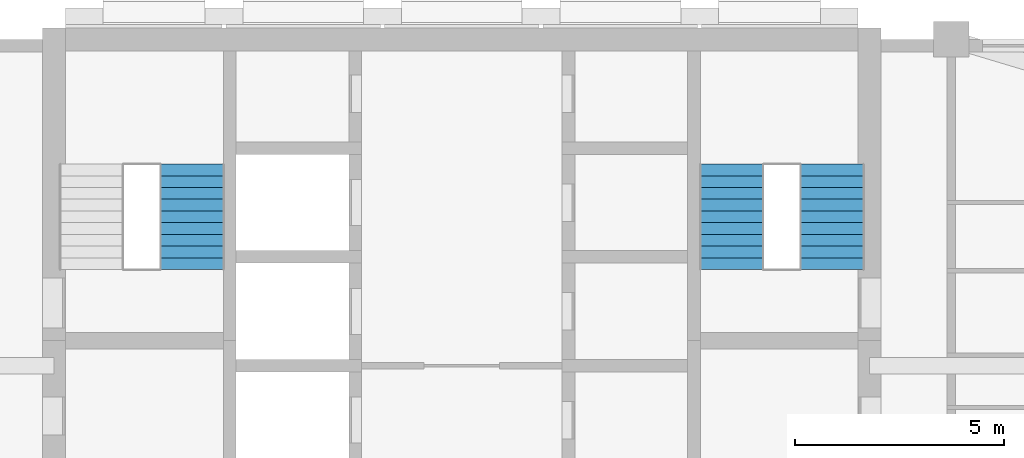
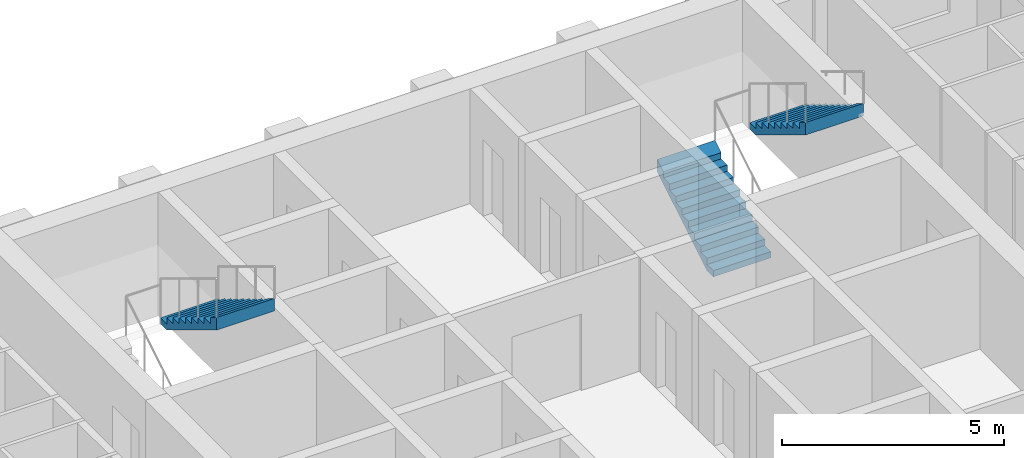
# One storey, part 12 of 14: 3 stair flights, 2 elements without a shape of their own.
"""IFC4 building model written with IfcOpenShell, lengths in metres."""

import ifcopenshell
import ifcopenshell.guid

model = None  # the IFC model being written
_history = None  # IfcOwnerHistory: only IFC2X3 demands one
_inside = {}  # id of a spatial element -> (the spatial element, [elements in it])
_under = {}  # id of a project, library or spatial element -> (it, [spatial elements below it])
_declared = {}  # id of a project -> (the project, [libraries it declares])
_typed = {}  # id of a type object -> (the type object, [elements of that type])
_made_of = {}  # id of a material, layer set ... -> (it, [elements and type objects made of it])


def new_model(schema):
    """Start an empty IFC model of exactly this schema.

    Asked for "IFC4X3", IfcOpenShell would pick the latest addendum, in which some entities
    have other attributes; the version numbers below select the first issue.
    IFC2X3 requires an IfcOwnerHistory on every rooted entity: one is made here for all.
    """
    global model, _history
    if schema == "IFC4X3":
        model = ifcopenshell.file(schema_version=(4, 3, 0, 0))
    else:
        model = ifcopenshell.file(schema=schema)
    _inside.clear()
    _under.clear()
    _declared.clear()
    _typed.clear()
    _made_of.clear()
    _history = None
    if model.schema == "IFC2X3":
        org = make("IfcOrganization", Name="unknown")
        user = make(
            "IfcPersonAndOrganization",
            ThePerson=make("IfcPerson", FamilyName="unknown"),
            TheOrganization=org,
        )
        app = make(
            "IfcApplication",
            ApplicationDeveloper=org,
            Version="unknown",
            ApplicationFullName="unknown",
            ApplicationIdentifier="unknown",
        )
        _history = make(
            "IfcOwnerHistory",
            OwningUser=user,
            OwningApplication=app,
            ChangeAction="ADDED",
            CreationDate=0,
        )
    return model


def make(cls, **values):
    """One entity of the class cls with the attributes given. An attribute that is None is left unset."""
    return model.create_entity(
        cls, **{name: value for name, value in values.items() if value is not None}
    )


def rooted(cls, **values):
    """An entity with a GlobalId (a new one), such as an element, a storey or a relation."""
    return make(cls, GlobalId=ifcopenshell.guid.new(), OwnerHistory=_history, **values)


def si_unit(unit_type, name, prefix=None):
    """IfcSIUnit, for example si_unit("LENGTHUNIT", "METRE", prefix="MILLI")."""
    return make("IfcSIUnit", UnitType=unit_type, Prefix=prefix, Name=name)


def assignment(units):
    """IfcUnitAssignment: the units of a project."""
    return None if units is None else make("IfcUnitAssignment", Units=units)


def point(xyz):
    """IfcCartesianPoint."""
    return None if xyz is None else make("IfcCartesianPoint", Coordinates=xyz)


def direction(xyz):
    """IfcDirection."""
    return None if xyz is None else make("IfcDirection", DirectionRatios=xyz)


def frame(location, z_axis=None, x_axis=None):
    """IfcAxis2Placement3D, a coordinate frame: its origin and axes. An axis left out is left unset."""
    return make(
        "IfcAxis2Placement3D",
        Location=point(location),
        Axis=direction(z_axis),
        RefDirection=direction(x_axis),
    )


def origin():
    """The frame at (0, 0, 0) with its axes left unset."""
    return frame((0.0, 0.0, 0.0))


def place(relative_to, where):
    """IfcLocalPlacement: puts the frame where relative to a parent placement (None: the world)."""
    return make(
        "IfcLocalPlacement", PlacementRelTo=relative_to, RelativePlacement=where
    )


def context(
    kind, dimensions, precision=None, world=None, true_north=None, identifier=None
):
    """IfcGeometricRepresentationContext, for example the 3D "Model" context."""
    return make(
        "IfcGeometricRepresentationContext",
        ContextIdentifier=identifier,
        ContextType=kind,
        CoordinateSpaceDimension=dimensions,
        Precision=precision,
        WorldCoordinateSystem=world,
        TrueNorth=true_north,
    )


def subcontext(parent, identifier, kind, view, scale=None):
    """IfcGeometricRepresentationSubContext, for example "Body" below "Model"."""
    return make(
        "IfcGeometricRepresentationSubContext",
        ContextIdentifier=identifier,
        ContextType=kind,
        ParentContext=parent,
        TargetScale=scale,
        TargetView=view,
    )


def project(units=None, contexts=None):
    """IfcProject with its units and contexts."""
    return rooted(
        "IfcProject",
        Name="project",
        RepresentationContexts=contexts,
        UnitsInContext=assignment(units),
    )


def spatial(cls, under=None, at=None, **own):
    """A site, building, storey or space (cls), placed at a placement, below another one or the project."""
    s = rooted(cls, ObjectPlacement=at, **own)
    if under is not None:
        _under.setdefault(under.id(), (under, []))[1].append(s)
    return s


def point_list(points):
    """IfcCartesianPointList2D or 3D."""
    cls = (
        "IfcCartesianPointList2D" if len(points[0]) == 2 else "IfcCartesianPointList3D"
    )
    return make(cls, CoordList=points)


def triangles(points, corners, closed=None, point_numbers=None):
    """IfcTriangulatedFaceSet: each triangle names its three corners, points numbered from 1."""
    return make(
        "IfcTriangulatedFaceSet",
        Coordinates=point_list(points),
        Closed=closed,
        CoordIndex=corners,
        PnIndex=point_numbers,
    )


def shape(context_of_items, identifier, shape_type, items):
    """IfcShapeRepresentation: the items that make up one representation, for example the "Body"."""
    return make(
        "IfcShapeRepresentation",
        ContextOfItems=context_of_items,
        RepresentationIdentifier=identifier,
        RepresentationType=shape_type,
        Items=items,
    )


def material(Name=None, Category=None):
    """IfcMaterial."""
    return make("IfcMaterial", Name=Name, Category=Category)


def made_of(thing, what):
    """Note that an element or type object is made of a material, layer set ...; save() writes the relation."""
    if what is not None:
        _made_of.setdefault(what.id(), (what, []))[1].append(thing)
    return thing


def type_object(cls, material=None, **own):
    """A type object (cls), such as IfcWallType, which elements share."""
    return made_of(rooted(cls, **own), material)


def element(
    cls,
    number,
    at=None,
    inside=None,
    cuts=None,
    type_object=None,
    material=None,
    context=None,
    identifier="Body",
    shape_type=None,
    held_by="IfcProductDefinitionShape",
    body=None,
    shapes=None,
    **own,
):
    """One element of the class cls, such as IfcWall. Its Tag is "e" and its number.

    at: its placement. inside: the storey or other place that contains it. cuts: it is an
    opening in that element (IfcRelVoidsElement). A single representation is given by context,
    identifier, shape_type and body (its items); several are given by shapes. held_by: the class
    of the entity that holds the representations. save() writes the other relations.
    """
    e = rooted(cls, Tag="e%d" % number, ObjectPlacement=at, **own)
    if body is not None:
        shapes = [shape(context, identifier, shape_type, body)]
    if shapes is not None:
        e.Representation = make(held_by, Representations=shapes)
    if inside is not None:
        _inside.setdefault(inside.id(), (inside, []))[1].append(e)
    if cuts is not None:
        rooted(
            "IfcRelVoidsElement", RelatingBuildingElement=cuts, RelatedOpeningElement=e
        )
    if type_object is not None:
        _typed.setdefault(type_object.id(), (type_object, []))[1].append(e)
    return made_of(e, material)


def aggregate(whole, parts):
    """IfcRelAggregates: a whole, such as a stair, and the parts it consists of."""
    return rooted("IfcRelAggregates", RelatingObject=whole, RelatedObjects=parts)


def save(model, path):
    """Write the relations noted so far, then the file.

    IfcRelAggregates (storeys below a building ...), IfcRelContainedInSpatialStructure (elements
    in a storey), IfcRelDefinesByType, IfcRelAssociatesMaterial and IfcRelDeclares: one each for
    every whole, place, type object, material and project.
    """
    for whole, parts in _under.values():
        aggregate(whole, parts)
    for where, things in _inside.values():
        rooted(
            "IfcRelContainedInSpatialStructure",
            RelatedElements=things,
            RelatingStructure=where,
        )
    for kind, things in _typed.values():
        rooted("IfcRelDefinesByType", RelatedObjects=things, RelatingType=kind)
    for what, things in _made_of.values():
        rooted("IfcRelAssociatesMaterial", RelatedObjects=things, RelatingMaterial=what)
    for by, libraries in _declared.values():
        rooted("IfcRelDeclares", RelatingContext=by, RelatedDefinitions=libraries)
    model.write(path)


model = new_model("IFC4")

# Units and contexts
model_context = context("Model", 3, precision=1e-05, world=origin(), true_north=direction((0.0, 1.0)))
body_context = subcontext(model_context, "Body", "Model", "MODEL_VIEW")
ifc_project = project(units=[si_unit("LENGTHUNIT", "METRE"), si_unit("AREAUNIT", "SQUARE_METRE"), si_unit("VOLUMEUNIT", "CUBIC_METRE"), si_unit("PLANEANGLEUNIT", "RADIAN"), si_unit("MASSUNIT", "GRAM", prefix="KILO")], contexts=[model_context])

# Site, building, storey
site_placement = place(None, origin())
site = spatial("IfcSite", under=ifc_project, at=site_placement, CompositionType="ELEMENT")
building_placement = place(site_placement, origin())
building = spatial("IfcBuilding", under=site, at=building_placement, Name="Ludao Terraces", CompositionType="ELEMENT")
storey_placement = place(building_placement, frame((0.0, 0.0, 110.10009765625)))
storey = spatial("IfcBuildingStorey", under=building, at=storey_placement, Name="L30", CompositionType="ELEMENT", Elevation=110.10009765625)

# Stair, stair flight
ifc_material = material(Name="Concrete C40", Category="concrete")
stair_type = type_object("IfcStairType", Name="INT Stair", PredefinedType="HALF_TURN_STAIR", material=ifc_material)
stair_1_placement = place(storey_placement, origin())
stair_1 = element("IfcStair", 1, at=stair_1_placement, inside=storey, type_object=stair_type, Name="EXIT STAIR 1", PredefinedType="HALF_TURN_STAIR")
stair_flight_type = type_object("IfcStairFlightType", Name="INT Stair flight", PredefinedType="STRAIGHT", material=ifc_material)
stair_flight_1_placement = place(storey_placement, frame((78.550048828125, 81.52001953125, 1.699951171875), z_axis=(0.0, 0.0, 1.0), x_axis=(0.0, -1.0, 0.0)))
stair_flight_1 = element("IfcStairFlight", 2, at=stair_flight_1_placement, type_object=stair_flight_type, Name="ST1 flight 2", NumberOfRisers=10, NumberOfTreads=9, PredefinedType="STRAIGHT", RiserHeight=0.17, TreadLength=0.28, context=body_context, shape_type="Tessellation", body=[
    triangles([(0.0, -0.75, 0.0), (0.0, -0.5, 0.0), (0.0, -0.25, 0.0), (0.0, 0.0, 0.0), (0.0, 0.25, 0.0), (0.0, 0.5, 0.0), (0.0, 0.75, 0.0), (0.0, -0.75, 0.169921875), (0.0, -0.5, 0.169921875), (0.0, -0.25, 0.169921875), (0.0, 0.0, 0.169921875), (0.0, 0.25, 0.169921875), (0.0, 0.5, 0.169921875), (0.0, 0.75, 0.169921875), (0.280029296875, -0.75, 0.169921875), (0.280029296875, -0.5, 0.169921875), (0.280029296875, -0.25, 0.169921875), (0.280029296875, 0.0, 0.169921875), (0.280029296875, 0.25, 0.169921875), (0.280029296875, 0.5, 0.169921875), (0.280029296875, 0.75, 0.169921875), (0.280029296875, -0.75, 0.340087890625), (0.280029296875, -0.5, 0.340087890625), (0.280029296875, -0.25, 0.340087890625), (0.280029296875, 0.0, 0.340087890625), (0.280029296875, 0.25, 0.340087890625), (0.280029296875, 0.5, 0.340087890625), (0.280029296875, 0.75, 0.340087890625), (0.56005859375, -0.75, 0.340087890625), (0.56005859375, -0.5, 0.340087890625), (0.56005859375, -0.25, 0.340087890625), (0.56005859375, 0.0, 0.340087890625), (0.56005859375, 0.25, 0.340087890625), (0.56005859375, 0.5, 0.340087890625), (0.56005859375, 0.75, 0.340087890625), (0.56005859375, -0.75, 0.510009765625), (0.56005859375, -0.5, 0.510009765625), (0.56005859375, -0.25, 0.510009765625), (0.56005859375, 0.0, 0.510009765625), (0.56005859375, 0.25, 0.510009765625), (0.56005859375, 0.5, 0.510009765625), (0.56005859375, 0.75, 0.510009765625), (0.840087890625, -0.75, 0.510009765625), (0.840087890625, -0.5, 0.510009765625), (0.840087890625, -0.25, 0.510009765625), (0.840087890625, 0.0, 0.510009765625), (0.840087890625, 0.25, 0.510009765625), (0.840087890625, 0.5, 0.510009765625), (0.840087890625, 0.75, 0.510009765625), (0.840087890625, -0.75, 0.679931640625), (0.840087890625, -0.5, 0.679931640625), (0.840087890625, -0.25, 0.679931640625), (0.840087890625, 0.0, 0.679931640625), (0.840087890625, 0.25, 0.679931640625), (0.840087890625, 0.5, 0.679931640625), (0.840087890625, 0.75, 0.679931640625), (1.1201171875, -0.75, 0.679931640625), (1.1201171875, -0.5, 0.679931640625), (1.1201171875, -0.25, 0.679931640625), (1.1201171875, 0.0, 0.679931640625), (1.1201171875, 0.25, 0.679931640625), (1.1201171875, 0.5, 0.679931640625), (1.1201171875, 0.75, 0.679931640625), (1.1201171875, -0.75, 0.85009765625), (1.1201171875, -0.5, 0.85009765625), (1.1201171875, -0.25, 0.85009765625), (1.1201171875, 0.0, 0.85009765625), (1.1201171875, 0.25, 0.85009765625), (1.1201171875, 0.5, 0.85009765625), (1.1201171875, 0.75, 0.85009765625), (1.39990234375, -0.75, 0.85009765625), (1.39990234375, -0.5, 0.85009765625), (1.39990234375, -0.25, 0.85009765625), (1.39990234375, 0.0, 0.85009765625), (1.39990234375, 0.25, 0.85009765625), (1.39990234375, 0.5, 0.85009765625), (1.39990234375, 0.75, 0.85009765625), (1.39990234375, -0.75, 1.02001953125), (1.39990234375, -0.5, 1.02001953125), (1.39990234375, -0.25, 1.02001953125), (1.39990234375, 0.0, 1.02001953125), (1.39990234375, 0.25, 1.02001953125), (1.39990234375, 0.5, 1.02001953125), (1.39990234375, 0.75, 1.02001953125), (1.679931640625, -0.75, 1.02001953125), (1.679931640625, -0.5, 1.02001953125), (1.679931640625, -0.25, 1.02001953125), (1.679931640625, 0.0, 1.02001953125), (1.679931640625, 0.25, 1.02001953125), (1.679931640625, 0.5, 1.02001953125), (1.679931640625, 0.75, 1.02001953125), (1.679931640625, -0.75, 1.18994140625), (1.679931640625, -0.5, 1.18994140625), (1.679931640625, -0.25, 1.18994140625), (1.679931640625, 0.0, 1.18994140625), (1.679931640625, 0.25, 1.18994140625), (1.679931640625, 0.5, 1.18994140625), (1.679931640625, 0.75, 1.18994140625), (1.9599609375, -0.75, 1.18994140625), (1.9599609375, -0.5, 1.18994140625), (1.9599609375, -0.25, 1.18994140625), (1.9599609375, 0.0, 1.18994140625), (1.9599609375, 0.25, 1.18994140625), (1.9599609375, 0.5, 1.18994140625), (1.9599609375, 0.75, 1.18994140625), (1.9599609375, -0.75, 1.360107421875), (1.9599609375, -0.5, 1.360107421875), (1.9599609375, -0.25, 1.360107421875), (1.9599609375, 0.0, 1.360107421875), (1.9599609375, 0.25, 1.360107421875), (1.9599609375, 0.5, 1.360107421875), (1.9599609375, 0.75, 1.360107421875), (2.239990234375, -0.75, 1.360107421875), (2.239990234375, -0.5, 1.360107421875), (2.239990234375, -0.25, 1.360107421875), (2.239990234375, 0.0, 1.360107421875), (2.239990234375, 0.25, 1.360107421875), (2.239990234375, 0.5, 1.360107421875), (2.239990234375, 0.75, 1.360107421875), (2.239990234375, -0.75, 1.530029296875), (2.239990234375, -0.5, 1.530029296875), (2.239990234375, -0.25, 1.530029296875), (2.239990234375, 0.0, 1.530029296875), (2.239990234375, 0.25, 1.530029296875), (2.239990234375, 0.5, 1.530029296875), (2.239990234375, 0.75, 1.530029296875), (2.52001953125, -0.75, 1.699951171875), (2.52001953125, -0.5, 1.699951171875), (2.52001953125, -0.25, 1.699951171875), (2.52001953125, 0.0, 1.699951171875), (2.52001953125, 0.25, 1.699951171875), (2.52001953125, 0.5, 1.699951171875), (2.52001953125, 0.75, 1.699951171875), (2.52001953125, -0.75, 1.354736328125), (2.52001953125, -0.5, 1.354736328125), (2.52001953125, -0.25, 1.354736328125), (2.52001953125, 0.0, 1.354736328125), (2.52001953125, 0.25, 1.354736328125), (2.52001953125, 0.5, 1.354736328125), (2.52001953125, 0.75, 1.354736328125), (0.288818359375, -0.75, 0.0), (0.288818359375, -0.5, 0.0), (0.288818359375, -0.25, 0.0), (0.288818359375, 0.0, 0.0), (0.288818359375, 0.25, 0.0), (0.288818359375, 0.5, 0.0), (0.288818359375, 0.75, 0.0)], [[1, 141, 134], [7, 140, 147], [134, 127, 120], [140, 126, 133], [134, 120, 113], [140, 119, 126], [134, 113, 106], [140, 112, 119], [134, 106, 99], [140, 105, 112], [99, 92, 85], [105, 91, 98], [134, 99, 85], [140, 91, 105], [85, 78, 71], [91, 77, 84], [134, 85, 71], [140, 77, 91], [71, 64, 57], [77, 63, 70], [134, 71, 57], [140, 63, 77], [57, 50, 43], [63, 49, 56], [134, 57, 43], [140, 49, 63], [43, 36, 29], [49, 35, 42], [134, 43, 29], [140, 35, 49], [29, 22, 15], [35, 21, 28], [134, 29, 15], [140, 21, 35], [1, 134, 15], [7, 21, 140], [15, 8, 1], [21, 7, 14], [1, 9, 2], [1, 8, 9], [2, 10, 3], [2, 9, 10], [3, 11, 4], [3, 10, 11], [4, 12, 5], [4, 11, 12], [5, 13, 6], [5, 12, 13], [6, 14, 7], [6, 13, 14], [8, 16, 9], [8, 15, 16], [9, 17, 10], [9, 16, 17], [10, 18, 11], [10, 17, 18], [11, 19, 12], [11, 18, 19], [12, 20, 13], [12, 19, 20], [13, 21, 14], [13, 20, 21], [15, 23, 16], [15, 22, 23], [16, 24, 17], [16, 23, 24], [17, 25, 18], [17, 24, 25], [18, 26, 19], [18, 25, 26], [19, 27, 20], [19, 26, 27], [20, 28, 21], [20, 27, 28], [22, 30, 23], [22, 29, 30], [23, 31, 24], [23, 30, 31], [24, 32, 25], [24, 31, 32], [25, 33, 26], [25, 32, 33], [26, 34, 27], [26, 33, 34], [27, 35, 28], [27, 34, 35], [29, 37, 30], [29, 36, 37], [30, 38, 31], [30, 37, 38], [31, 39, 32], [31, 38, 39], [32, 40, 33], [32, 39, 40], [33, 41, 34], [33, 40, 41], [34, 42, 35], [34, 41, 42], [36, 44, 37], [36, 43, 44], [37, 45, 38], [37, 44, 45], [38, 46, 39], [38, 45, 46], [39, 47, 40], [39, 46, 47], [40, 48, 41], [40, 47, 48], [41, 49, 42], [41, 48, 49], [43, 51, 44], [43, 50, 51], [44, 52, 45], [44, 51, 52], [45, 53, 46], [45, 52, 53], [46, 54, 47], [46, 53, 54], [47, 55, 48], [47, 54, 55], [48, 56, 49], [48, 55, 56], [50, 58, 51], [50, 57, 58], [51, 59, 52], [51, 58, 59], [52, 60, 53], [52, 59, 60], [53, 61, 54], [53, 60, 61], [54, 62, 55], [54, 61, 62], [55, 63, 56], [55, 62, 63], [57, 65, 58], [57, 64, 65], [58, 66, 59], [58, 65, 66], [59, 67, 60], [59, 66, 67], [60, 68, 61], [60, 67, 68], [61, 69, 62], [61, 68, 69], [62, 70, 63], [62, 69, 70], [64, 72, 65], [64, 71, 72], [65, 73, 66], [65, 72, 73], [66, 74, 67], [66, 73, 74], [67, 75, 68], [67, 74, 75], [68, 76, 69], [68, 75, 76], [69, 77, 70], [69, 76, 77], [71, 79, 72], [71, 78, 79], [72, 80, 73], [72, 79, 80], [73, 81, 74], [73, 80, 81], [74, 82, 75], [74, 81, 82], [75, 83, 76], [75, 82, 83], [76, 84, 77], [76, 83, 84], [78, 86, 79], [78, 85, 86], [79, 87, 80], [79, 86, 87], [80, 88, 81], [80, 87, 88], [81, 89, 82], [81, 88, 89], [82, 90, 83], [82, 89, 90], [83, 91, 84], [83, 90, 91], [85, 93, 86], [85, 92, 93], [86, 94, 87], [86, 93, 94], [87, 95, 88], [87, 94, 95], [88, 96, 89], [88, 95, 96], [89, 97, 90], [89, 96, 97], [90, 98, 91], [90, 97, 98], [92, 100, 93], [92, 99, 100], [93, 101, 94], [93, 100, 101], [94, 102, 95], [94, 101, 102], [95, 103, 96], [95, 102, 103], [96, 104, 97], [96, 103, 104], [97, 105, 98], [97, 104, 105], [99, 107, 100], [99, 106, 107], [100, 108, 101], [100, 107, 108], [101, 109, 102], [101, 108, 109], [102, 110, 103], [102, 109, 110], [103, 111, 104], [103, 110, 111], [104, 112, 105], [104, 111, 112], [106, 114, 107], [106, 113, 114], [107, 115, 108], [107, 114, 115], [108, 116, 109], [108, 115, 116], [109, 117, 110], [109, 116, 117], [110, 118, 111], [110, 117, 118], [111, 119, 112], [111, 118, 119], [113, 121, 114], [113, 120, 121], [114, 122, 115], [114, 121, 122], [115, 123, 116], [115, 122, 123], [116, 124, 117], [116, 123, 124], [117, 125, 118], [117, 124, 125], [118, 126, 119], [118, 125, 126], [120, 128, 121], [120, 127, 128], [121, 129, 122], [121, 128, 129], [122, 130, 123], [122, 129, 130], [123, 131, 124], [123, 130, 131], [124, 132, 125], [124, 131, 132], [125, 133, 126], [125, 132, 133], [127, 135, 128], [127, 134, 135], [128, 136, 129], [128, 135, 136], [129, 137, 130], [129, 136, 137], [130, 138, 131], [130, 137, 138], [131, 139, 132], [131, 138, 139], [132, 140, 133], [132, 139, 140], [134, 142, 135], [134, 141, 142], [135, 143, 136], [135, 142, 143], [136, 144, 137], [136, 143, 144], [137, 145, 138], [137, 144, 145], [138, 146, 139], [138, 145, 146], [139, 147, 140], [139, 146, 147], [141, 2, 142], [141, 1, 2], [142, 3, 143], [142, 2, 3], [143, 4, 144], [143, 3, 4], [144, 5, 145], [144, 4, 5], [145, 6, 146], [145, 5, 6], [146, 7, 147], [146, 6, 7]], closed=True),
])
aggregate(stair_1, [stair_flight_1])

# Stair, stair flights
stair_2_placement = place(storey_placement, origin())
stair_2 = element("IfcStair", 3, at=stair_2_placement, inside=storey, type_object=stair_type, Name="EXIT STAIR 2", PredefinedType="HALF_TURN_STAIR")
stair_flight_2_placement = place(storey_placement, frame((91.449951171875, 79.0, 0.0), z_axis=(0.0, 0.0, 1.0), x_axis=(0.0, 1.0, 0.0)))
stair_flight_2 = element("IfcStairFlight", 4, at=stair_flight_2_placement, type_object=stair_flight_type, Name="ST2 flight 1", NumberOfRisers=10, NumberOfTreads=9, PredefinedType="STRAIGHT", RiserHeight=0.17, TreadLength=0.28, context=body_context, shape_type="Tessellation", body=[
    triangles([(0.0, -0.75, 0.0), (0.0, -0.5, 0.0), (0.0, -0.25, 0.0), (0.0, 0.0, 0.0), (0.0, 0.25, 0.0), (0.0, 0.5, 0.0), (0.0, 0.75, 0.0), (0.0, -0.75, 0.169921875), (0.0, -0.5, 0.169921875), (0.0, -0.25, 0.169921875), (0.0, 0.0, 0.169921875), (0.0, 0.25, 0.169921875), (0.0, 0.5, 0.169921875), (0.0, 0.75, 0.169921875), (0.280029296875, -0.75, 0.169921875), (0.280029296875, -0.5, 0.169921875), (0.280029296875, -0.25, 0.169921875), (0.280029296875, 0.0, 0.169921875), (0.280029296875, 0.25, 0.169921875), (0.280029296875, 0.5, 0.169921875), (0.280029296875, 0.75, 0.169921875), (0.280029296875, -0.75, 0.340087890625), (0.280029296875, -0.5, 0.340087890625), (0.280029296875, -0.25, 0.340087890625), (0.280029296875, 0.0, 0.340087890625), (0.280029296875, 0.25, 0.340087890625), (0.280029296875, 0.5, 0.340087890625), (0.280029296875, 0.75, 0.340087890625), (0.56005859375, -0.75, 0.340087890625), (0.56005859375, -0.5, 0.340087890625), (0.56005859375, -0.25, 0.340087890625), (0.56005859375, 0.0, 0.340087890625), (0.56005859375, 0.25, 0.340087890625), (0.56005859375, 0.5, 0.340087890625), (0.56005859375, 0.75, 0.340087890625), (0.56005859375, -0.75, 0.510009765625), (0.56005859375, -0.5, 0.510009765625), (0.56005859375, -0.25, 0.510009765625), (0.56005859375, 0.0, 0.510009765625), (0.56005859375, 0.25, 0.510009765625), (0.56005859375, 0.5, 0.510009765625), (0.56005859375, 0.75, 0.510009765625), (0.840087890625, -0.75, 0.510009765625), (0.840087890625, -0.5, 0.510009765625), (0.840087890625, -0.25, 0.510009765625), (0.840087890625, 0.0, 0.510009765625), (0.840087890625, 0.25, 0.510009765625), (0.840087890625, 0.5, 0.510009765625), (0.840087890625, 0.75, 0.510009765625), (0.840087890625, -0.75, 0.679931640625), (0.840087890625, -0.5, 0.679931640625), (0.840087890625, -0.25, 0.679931640625), (0.840087890625, 0.0, 0.679931640625), (0.840087890625, 0.25, 0.679931640625), (0.840087890625, 0.5, 0.679931640625), (0.840087890625, 0.75, 0.679931640625), (1.1201171875, -0.75, 0.679931640625), (1.1201171875, -0.5, 0.679931640625), (1.1201171875, -0.25, 0.679931640625), (1.1201171875, 0.0, 0.679931640625), (1.1201171875, 0.25, 0.679931640625), (1.1201171875, 0.5, 0.679931640625), (1.1201171875, 0.75, 0.679931640625), (1.1201171875, -0.75, 0.85009765625), (1.1201171875, -0.5, 0.85009765625), (1.1201171875, -0.25, 0.85009765625), (1.1201171875, 0.0, 0.85009765625), (1.1201171875, 0.25, 0.85009765625), (1.1201171875, 0.5, 0.85009765625), (1.1201171875, 0.75, 0.85009765625), (1.39990234375, -0.75, 0.85009765625), (1.39990234375, -0.5, 0.85009765625), (1.39990234375, -0.25, 0.85009765625), (1.39990234375, 0.0, 0.85009765625), (1.39990234375, 0.25, 0.85009765625), (1.39990234375, 0.5, 0.85009765625), (1.39990234375, 0.75, 0.85009765625), (1.39990234375, -0.75, 1.02001953125), (1.39990234375, -0.5, 1.02001953125), (1.39990234375, -0.25, 1.02001953125), (1.39990234375, 0.0, 1.02001953125), (1.39990234375, 0.25, 1.02001953125), (1.39990234375, 0.5, 1.02001953125), (1.39990234375, 0.75, 1.02001953125), (1.679931640625, -0.75, 1.02001953125), (1.679931640625, -0.5, 1.02001953125), (1.679931640625, -0.25, 1.02001953125), (1.679931640625, 0.0, 1.02001953125), (1.679931640625, 0.25, 1.02001953125), (1.679931640625, 0.5, 1.02001953125), (1.679931640625, 0.75, 1.02001953125), (1.679931640625, -0.75, 1.18994140625), (1.679931640625, -0.5, 1.18994140625), (1.679931640625, -0.25, 1.18994140625), (1.679931640625, 0.0, 1.18994140625), (1.679931640625, 0.25, 1.18994140625), (1.679931640625, 0.5, 1.18994140625), (1.679931640625, 0.75, 1.18994140625), (1.9599609375, -0.75, 1.18994140625), (1.9599609375, -0.5, 1.18994140625), (1.9599609375, -0.25, 1.18994140625), (1.9599609375, 0.0, 1.18994140625), (1.9599609375, 0.25, 1.18994140625), (1.9599609375, 0.5, 1.18994140625), (1.9599609375, 0.75, 1.18994140625), (1.9599609375, -0.75, 1.360107421875), (1.9599609375, -0.5, 1.360107421875), (1.9599609375, -0.25, 1.360107421875), (1.9599609375, 0.0, 1.360107421875), (1.9599609375, 0.25, 1.360107421875), (1.9599609375, 0.5, 1.360107421875), (1.9599609375, 0.75, 1.360107421875), (2.239990234375, -0.75, 1.360107421875), (2.239990234375, -0.5, 1.360107421875), (2.239990234375, -0.25, 1.360107421875), (2.239990234375, 0.0, 1.360107421875), (2.239990234375, 0.25, 1.360107421875), (2.239990234375, 0.5, 1.360107421875), (2.239990234375, 0.75, 1.360107421875), (2.239990234375, -0.75, 1.530029296875), (2.239990234375, -0.5, 1.530029296875), (2.239990234375, -0.25, 1.530029296875), (2.239990234375, 0.0, 1.530029296875), (2.239990234375, 0.25, 1.530029296875), (2.239990234375, 0.5, 1.530029296875), (2.239990234375, 0.75, 1.530029296875), (2.52001953125, -0.75, 1.699951171875), (2.52001953125, -0.5, 1.699951171875), (2.52001953125, -0.25, 1.699951171875), (2.52001953125, 0.0, 1.699951171875), (2.52001953125, 0.25, 1.699951171875), (2.52001953125, 0.5, 1.699951171875), (2.52001953125, 0.75, 1.699951171875), (2.52001953125, -0.75, 1.354736328125), (2.52001953125, -0.5, 1.354736328125), (2.52001953125, -0.25, 1.354736328125), (2.52001953125, 0.0, 1.354736328125), (2.52001953125, 0.25, 1.354736328125), (2.52001953125, 0.5, 1.354736328125), (2.52001953125, 0.75, 1.354736328125), (0.288818359375, -0.75, 0.0), (0.288818359375, -0.5, 0.0), (0.288818359375, -0.25, 0.0), (0.288818359375, 0.0, 0.0), (0.288818359375, 0.25, 0.0), (0.288818359375, 0.5, 0.0), (0.288818359375, 0.75, 0.0)], [[1, 141, 134], [7, 140, 147], [134, 127, 120], [140, 126, 133], [134, 120, 113], [140, 119, 126], [134, 113, 106], [140, 112, 119], [134, 106, 99], [140, 105, 112], [99, 92, 85], [105, 91, 98], [134, 99, 85], [140, 91, 105], [85, 78, 71], [91, 77, 84], [134, 85, 71], [140, 77, 91], [71, 64, 57], [77, 63, 70], [134, 71, 57], [140, 63, 77], [57, 50, 43], [63, 49, 56], [134, 57, 43], [140, 49, 63], [43, 36, 29], [49, 35, 42], [134, 43, 29], [140, 35, 49], [29, 22, 15], [35, 21, 28], [134, 29, 15], [140, 21, 35], [1, 134, 15], [7, 21, 140], [15, 8, 1], [21, 7, 14], [1, 9, 2], [1, 8, 9], [2, 10, 3], [2, 9, 10], [3, 11, 4], [3, 10, 11], [4, 12, 5], [4, 11, 12], [5, 13, 6], [5, 12, 13], [6, 14, 7], [6, 13, 14], [8, 16, 9], [8, 15, 16], [9, 17, 10], [9, 16, 17], [10, 18, 11], [10, 17, 18], [11, 19, 12], [11, 18, 19], [12, 20, 13], [12, 19, 20], [13, 21, 14], [13, 20, 21], [15, 23, 16], [15, 22, 23], [16, 24, 17], [16, 23, 24], [17, 25, 18], [17, 24, 25], [18, 26, 19], [18, 25, 26], [19, 27, 20], [19, 26, 27], [20, 28, 21], [20, 27, 28], [22, 30, 23], [22, 29, 30], [23, 31, 24], [23, 30, 31], [24, 32, 25], [24, 31, 32], [25, 33, 26], [25, 32, 33], [26, 34, 27], [26, 33, 34], [27, 35, 28], [27, 34, 35], [29, 37, 30], [29, 36, 37], [30, 38, 31], [30, 37, 38], [31, 39, 32], [31, 38, 39], [32, 40, 33], [32, 39, 40], [33, 41, 34], [33, 40, 41], [34, 42, 35], [34, 41, 42], [36, 44, 37], [36, 43, 44], [37, 45, 38], [37, 44, 45], [38, 46, 39], [38, 45, 46], [39, 47, 40], [39, 46, 47], [40, 48, 41], [40, 47, 48], [41, 49, 42], [41, 48, 49], [43, 51, 44], [43, 50, 51], [44, 52, 45], [44, 51, 52], [45, 53, 46], [45, 52, 53], [46, 54, 47], [46, 53, 54], [47, 55, 48], [47, 54, 55], [48, 56, 49], [48, 55, 56], [50, 58, 51], [50, 57, 58], [51, 59, 52], [51, 58, 59], [52, 60, 53], [52, 59, 60], [53, 61, 54], [53, 60, 61], [54, 62, 55], [54, 61, 62], [55, 63, 56], [55, 62, 63], [57, 65, 58], [57, 64, 65], [58, 66, 59], [58, 65, 66], [59, 67, 60], [59, 66, 67], [60, 68, 61], [60, 67, 68], [61, 69, 62], [61, 68, 69], [62, 70, 63], [62, 69, 70], [64, 72, 65], [64, 71, 72], [65, 73, 66], [65, 72, 73], [66, 74, 67], [66, 73, 74], [67, 75, 68], [67, 74, 75], [68, 76, 69], [68, 75, 76], [69, 77, 70], [69, 76, 77], [71, 79, 72], [71, 78, 79], [72, 80, 73], [72, 79, 80], [73, 81, 74], [73, 80, 81], [74, 82, 75], [74, 81, 82], [75, 83, 76], [75, 82, 83], [76, 84, 77], [76, 83, 84], [78, 86, 79], [78, 85, 86], [79, 87, 80], [79, 86, 87], [80, 88, 81], [80, 87, 88], [81, 89, 82], [81, 88, 89], [82, 90, 83], [82, 89, 90], [83, 91, 84], [83, 90, 91], [85, 93, 86], [85, 92, 93], [86, 94, 87], [86, 93, 94], [87, 95, 88], [87, 94, 95], [88, 96, 89], [88, 95, 96], [89, 97, 90], [89, 96, 97], [90, 98, 91], [90, 97, 98], [92, 100, 93], [92, 99, 100], [93, 101, 94], [93, 100, 101], [94, 102, 95], [94, 101, 102], [95, 103, 96], [95, 102, 103], [96, 104, 97], [96, 103, 104], [97, 105, 98], [97, 104, 105], [99, 107, 100], [99, 106, 107], [100, 108, 101], [100, 107, 108], [101, 109, 102], [101, 108, 109], [102, 110, 103], [102, 109, 110], [103, 111, 104], [103, 110, 111], [104, 112, 105], [104, 111, 112], [106, 114, 107], [106, 113, 114], [107, 115, 108], [107, 114, 115], [108, 116, 109], [108, 115, 116], [109, 117, 110], [109, 116, 117], [110, 118, 111], [110, 117, 118], [111, 119, 112], [111, 118, 119], [113, 121, 114], [113, 120, 121], [114, 122, 115], [114, 121, 122], [115, 123, 116], [115, 122, 123], [116, 124, 117], [116, 123, 124], [117, 125, 118], [117, 124, 125], [118, 126, 119], [118, 125, 126], [120, 128, 121], [120, 127, 128], [121, 129, 122], [121, 128, 129], [122, 130, 123], [122, 129, 130], [123, 131, 124], [123, 130, 131], [124, 132, 125], [124, 131, 132], [125, 133, 126], [125, 132, 133], [127, 135, 128], [127, 134, 135], [128, 136, 129], [128, 135, 136], [129, 137, 130], [129, 136, 137], [130, 138, 131], [130, 137, 138], [131, 139, 132], [131, 138, 139], [132, 140, 133], [132, 139, 140], [134, 142, 135], [134, 141, 142], [135, 143, 136], [135, 142, 143], [136, 144, 137], [136, 143, 144], [137, 145, 138], [137, 144, 145], [138, 146, 139], [138, 145, 146], [139, 147, 140], [139, 146, 147], [141, 2, 142], [141, 1, 2], [142, 3, 143], [142, 2, 3], [143, 4, 144], [143, 3, 4], [144, 5, 145], [144, 4, 5], [145, 6, 146], [145, 5, 6], [146, 7, 147], [146, 6, 7]], closed=True),
])
stair_flight_3_placement = place(storey_placement, frame((93.85009765625, 81.52001953125, 1.699951171875), z_axis=(0.0, 0.0, 1.0), x_axis=(0.0, -1.0, 0.0)))
stair_flight_3 = element("IfcStairFlight", 5, at=stair_flight_3_placement, type_object=stair_flight_type, Name="ST2 flight 2", NumberOfRisers=10, NumberOfTreads=9, PredefinedType="STRAIGHT", RiserHeight=0.17, TreadLength=0.28, context=body_context, shape_type="Tessellation", body=[
    triangles([(0.0, -0.75, 0.0), (0.0, -0.5, 0.0), (0.0, -0.25, 0.0), (0.0, 0.0, 0.0), (0.0, 0.25, 0.0), (0.0, 0.5, 0.0), (0.0, 0.75, 0.0), (0.0, -0.75, 0.169921875), (0.0, -0.5, 0.169921875), (0.0, -0.25, 0.169921875), (0.0, 0.0, 0.169921875), (0.0, 0.25, 0.169921875), (0.0, 0.5, 0.169921875), (0.0, 0.75, 0.169921875), (0.280029296875, -0.75, 0.169921875), (0.280029296875, -0.5, 0.169921875), (0.280029296875, -0.25, 0.169921875), (0.280029296875, 0.0, 0.169921875), (0.280029296875, 0.25, 0.169921875), (0.280029296875, 0.5, 0.169921875), (0.280029296875, 0.75, 0.169921875), (0.280029296875, -0.75, 0.340087890625), (0.280029296875, -0.5, 0.340087890625), (0.280029296875, -0.25, 0.340087890625), (0.280029296875, 0.0, 0.340087890625), (0.280029296875, 0.25, 0.340087890625), (0.280029296875, 0.5, 0.340087890625), (0.280029296875, 0.75, 0.340087890625), (0.56005859375, -0.75, 0.340087890625), (0.56005859375, -0.5, 0.340087890625), (0.56005859375, -0.25, 0.340087890625), (0.56005859375, 0.0, 0.340087890625), (0.56005859375, 0.25, 0.340087890625), (0.56005859375, 0.5, 0.340087890625), (0.56005859375, 0.75, 0.340087890625), (0.56005859375, -0.75, 0.510009765625), (0.56005859375, -0.5, 0.510009765625), (0.56005859375, -0.25, 0.510009765625), (0.56005859375, 0.0, 0.510009765625), (0.56005859375, 0.25, 0.510009765625), (0.56005859375, 0.5, 0.510009765625), (0.56005859375, 0.75, 0.510009765625), (0.840087890625, -0.75, 0.510009765625), (0.840087890625, -0.5, 0.510009765625), (0.840087890625, -0.25, 0.510009765625), (0.840087890625, 0.0, 0.510009765625), (0.840087890625, 0.25, 0.510009765625), (0.840087890625, 0.5, 0.510009765625), (0.840087890625, 0.75, 0.510009765625), (0.840087890625, -0.75, 0.679931640625), (0.840087890625, -0.5, 0.679931640625), (0.840087890625, -0.25, 0.679931640625), (0.840087890625, 0.0, 0.679931640625), (0.840087890625, 0.25, 0.679931640625), (0.840087890625, 0.5, 0.679931640625), (0.840087890625, 0.75, 0.679931640625), (1.1201171875, -0.75, 0.679931640625), (1.1201171875, -0.5, 0.679931640625), (1.1201171875, -0.25, 0.679931640625), (1.1201171875, 0.0, 0.679931640625), (1.1201171875, 0.25, 0.679931640625), (1.1201171875, 0.5, 0.679931640625), (1.1201171875, 0.75, 0.679931640625), (1.1201171875, -0.75, 0.85009765625), (1.1201171875, -0.5, 0.85009765625), (1.1201171875, -0.25, 0.85009765625), (1.1201171875, 0.0, 0.85009765625), (1.1201171875, 0.25, 0.85009765625), (1.1201171875, 0.5, 0.85009765625), (1.1201171875, 0.75, 0.85009765625), (1.39990234375, -0.75, 0.85009765625), (1.39990234375, -0.5, 0.85009765625), (1.39990234375, -0.25, 0.85009765625), (1.39990234375, 0.0, 0.85009765625), (1.39990234375, 0.25, 0.85009765625), (1.39990234375, 0.5, 0.85009765625), (1.39990234375, 0.75, 0.85009765625), (1.39990234375, -0.75, 1.02001953125), (1.39990234375, -0.5, 1.02001953125), (1.39990234375, -0.25, 1.02001953125), (1.39990234375, 0.0, 1.02001953125), (1.39990234375, 0.25, 1.02001953125), (1.39990234375, 0.5, 1.02001953125), (1.39990234375, 0.75, 1.02001953125), (1.679931640625, -0.75, 1.02001953125), (1.679931640625, -0.5, 1.02001953125), (1.679931640625, -0.25, 1.02001953125), (1.679931640625, 0.0, 1.02001953125), (1.679931640625, 0.25, 1.02001953125), (1.679931640625, 0.5, 1.02001953125), (1.679931640625, 0.75, 1.02001953125), (1.679931640625, -0.75, 1.18994140625), (1.679931640625, -0.5, 1.18994140625), (1.679931640625, -0.25, 1.18994140625), (1.679931640625, 0.0, 1.18994140625), (1.679931640625, 0.25, 1.18994140625), (1.679931640625, 0.5, 1.18994140625), (1.679931640625, 0.75, 1.18994140625), (1.9599609375, -0.75, 1.18994140625), (1.9599609375, -0.5, 1.18994140625), (1.9599609375, -0.25, 1.18994140625), (1.9599609375, 0.0, 1.18994140625), (1.9599609375, 0.25, 1.18994140625), (1.9599609375, 0.5, 1.18994140625), (1.9599609375, 0.75, 1.18994140625), (1.9599609375, -0.75, 1.360107421875), (1.9599609375, -0.5, 1.360107421875), (1.9599609375, -0.25, 1.360107421875), (1.9599609375, 0.0, 1.360107421875), (1.9599609375, 0.25, 1.360107421875), (1.9599609375, 0.5, 1.360107421875), (1.9599609375, 0.75, 1.360107421875), (2.239990234375, -0.75, 1.360107421875), (2.239990234375, -0.5, 1.360107421875), (2.239990234375, -0.25, 1.360107421875), (2.239990234375, 0.0, 1.360107421875), (2.239990234375, 0.25, 1.360107421875), (2.239990234375, 0.5, 1.360107421875), (2.239990234375, 0.75, 1.360107421875), (2.239990234375, -0.75, 1.530029296875), (2.239990234375, -0.5, 1.530029296875), (2.239990234375, -0.25, 1.530029296875), (2.239990234375, 0.0, 1.530029296875), (2.239990234375, 0.25, 1.530029296875), (2.239990234375, 0.5, 1.530029296875), (2.239990234375, 0.75, 1.530029296875), (2.52001953125, -0.75, 1.699951171875), (2.52001953125, -0.5, 1.699951171875), (2.52001953125, -0.25, 1.699951171875), (2.52001953125, 0.0, 1.699951171875), (2.52001953125, 0.25, 1.699951171875), (2.52001953125, 0.5, 1.699951171875), (2.52001953125, 0.75, 1.699951171875), (2.52001953125, -0.75, 1.354736328125), (2.52001953125, -0.5, 1.354736328125), (2.52001953125, -0.25, 1.354736328125), (2.52001953125, 0.0, 1.354736328125), (2.52001953125, 0.25, 1.354736328125), (2.52001953125, 0.5, 1.354736328125), (2.52001953125, 0.75, 1.354736328125), (0.288818359375, -0.75, 0.0), (0.288818359375, -0.5, 0.0), (0.288818359375, -0.25, 0.0), (0.288818359375, 0.0, 0.0), (0.288818359375, 0.25, 0.0), (0.288818359375, 0.5, 0.0), (0.288818359375, 0.75, 0.0)], [[1, 141, 134], [7, 140, 147], [134, 127, 120], [140, 126, 133], [134, 120, 113], [140, 119, 126], [134, 113, 106], [140, 112, 119], [134, 106, 99], [140, 105, 112], [99, 92, 85], [105, 91, 98], [134, 99, 85], [140, 91, 105], [85, 78, 71], [91, 77, 84], [134, 85, 71], [140, 77, 91], [71, 64, 57], [77, 63, 70], [134, 71, 57], [140, 63, 77], [57, 50, 43], [63, 49, 56], [134, 57, 43], [140, 49, 63], [43, 36, 29], [49, 35, 42], [134, 43, 29], [140, 35, 49], [29, 22, 15], [35, 21, 28], [134, 29, 15], [140, 21, 35], [1, 134, 15], [7, 21, 140], [15, 8, 1], [21, 7, 14], [1, 9, 2], [1, 8, 9], [2, 10, 3], [2, 9, 10], [3, 11, 4], [3, 10, 11], [4, 12, 5], [4, 11, 12], [5, 13, 6], [5, 12, 13], [6, 14, 7], [6, 13, 14], [8, 16, 9], [8, 15, 16], [9, 17, 10], [9, 16, 17], [10, 18, 11], [10, 17, 18], [11, 19, 12], [11, 18, 19], [12, 20, 13], [12, 19, 20], [13, 21, 14], [13, 20, 21], [15, 23, 16], [15, 22, 23], [16, 24, 17], [16, 23, 24], [17, 25, 18], [17, 24, 25], [18, 26, 19], [18, 25, 26], [19, 27, 20], [19, 26, 27], [20, 28, 21], [20, 27, 28], [22, 30, 23], [22, 29, 30], [23, 31, 24], [23, 30, 31], [24, 32, 25], [24, 31, 32], [25, 33, 26], [25, 32, 33], [26, 34, 27], [26, 33, 34], [27, 35, 28], [27, 34, 35], [29, 37, 30], [29, 36, 37], [30, 38, 31], [30, 37, 38], [31, 39, 32], [31, 38, 39], [32, 40, 33], [32, 39, 40], [33, 41, 34], [33, 40, 41], [34, 42, 35], [34, 41, 42], [36, 44, 37], [36, 43, 44], [37, 45, 38], [37, 44, 45], [38, 46, 39], [38, 45, 46], [39, 47, 40], [39, 46, 47], [40, 48, 41], [40, 47, 48], [41, 49, 42], [41, 48, 49], [43, 51, 44], [43, 50, 51], [44, 52, 45], [44, 51, 52], [45, 53, 46], [45, 52, 53], [46, 54, 47], [46, 53, 54], [47, 55, 48], [47, 54, 55], [48, 56, 49], [48, 55, 56], [50, 58, 51], [50, 57, 58], [51, 59, 52], [51, 58, 59], [52, 60, 53], [52, 59, 60], [53, 61, 54], [53, 60, 61], [54, 62, 55], [54, 61, 62], [55, 63, 56], [55, 62, 63], [57, 65, 58], [57, 64, 65], [58, 66, 59], [58, 65, 66], [59, 67, 60], [59, 66, 67], [60, 68, 61], [60, 67, 68], [61, 69, 62], [61, 68, 69], [62, 70, 63], [62, 69, 70], [64, 72, 65], [64, 71, 72], [65, 73, 66], [65, 72, 73], [66, 74, 67], [66, 73, 74], [67, 75, 68], [67, 74, 75], [68, 76, 69], [68, 75, 76], [69, 77, 70], [69, 76, 77], [71, 79, 72], [71, 78, 79], [72, 80, 73], [72, 79, 80], [73, 81, 74], [73, 80, 81], [74, 82, 75], [74, 81, 82], [75, 83, 76], [75, 82, 83], [76, 84, 77], [76, 83, 84], [78, 86, 79], [78, 85, 86], [79, 87, 80], [79, 86, 87], [80, 88, 81], [80, 87, 88], [81, 89, 82], [81, 88, 89], [82, 90, 83], [82, 89, 90], [83, 91, 84], [83, 90, 91], [85, 93, 86], [85, 92, 93], [86, 94, 87], [86, 93, 94], [87, 95, 88], [87, 94, 95], [88, 96, 89], [88, 95, 96], [89, 97, 90], [89, 96, 97], [90, 98, 91], [90, 97, 98], [92, 100, 93], [92, 99, 100], [93, 101, 94], [93, 100, 101], [94, 102, 95], [94, 101, 102], [95, 103, 96], [95, 102, 103], [96, 104, 97], [96, 103, 104], [97, 105, 98], [97, 104, 105], [99, 107, 100], [99, 106, 107], [100, 108, 101], [100, 107, 108], [101, 109, 102], [101, 108, 109], [102, 110, 103], [102, 109, 110], [103, 111, 104], [103, 110, 111], [104, 112, 105], [104, 111, 112], [106, 114, 107], [106, 113, 114], [107, 115, 108], [107, 114, 115], [108, 116, 109], [108, 115, 116], [109, 117, 110], [109, 116, 117], [110, 118, 111], [110, 117, 118], [111, 119, 112], [111, 118, 119], [113, 121, 114], [113, 120, 121], [114, 122, 115], [114, 121, 122], [115, 123, 116], [115, 122, 123], [116, 124, 117], [116, 123, 124], [117, 125, 118], [117, 124, 125], [118, 126, 119], [118, 125, 126], [120, 128, 121], [120, 127, 128], [121, 129, 122], [121, 128, 129], [122, 130, 123], [122, 129, 130], [123, 131, 124], [123, 130, 131], [124, 132, 125], [124, 131, 132], [125, 133, 126], [125, 132, 133], [127, 135, 128], [127, 134, 135], [128, 136, 129], [128, 135, 136], [129, 137, 130], [129, 136, 137], [130, 138, 131], [130, 137, 138], [131, 139, 132], [131, 138, 139], [132, 140, 133], [132, 139, 140], [134, 142, 135], [134, 141, 142], [135, 143, 136], [135, 142, 143], [136, 144, 137], [136, 143, 144], [137, 145, 138], [137, 144, 145], [138, 146, 139], [138, 145, 146], [139, 147, 140], [139, 146, 147], [141, 2, 142], [141, 1, 2], [142, 3, 143], [142, 2, 3], [143, 4, 144], [143, 3, 4], [144, 5, 145], [144, 4, 5], [145, 6, 146], [145, 5, 6], [146, 7, 147], [146, 6, 7]], closed=True),
])
aggregate(stair_2, [stair_flight_2, stair_flight_3])

save(model, "model.ifc")
